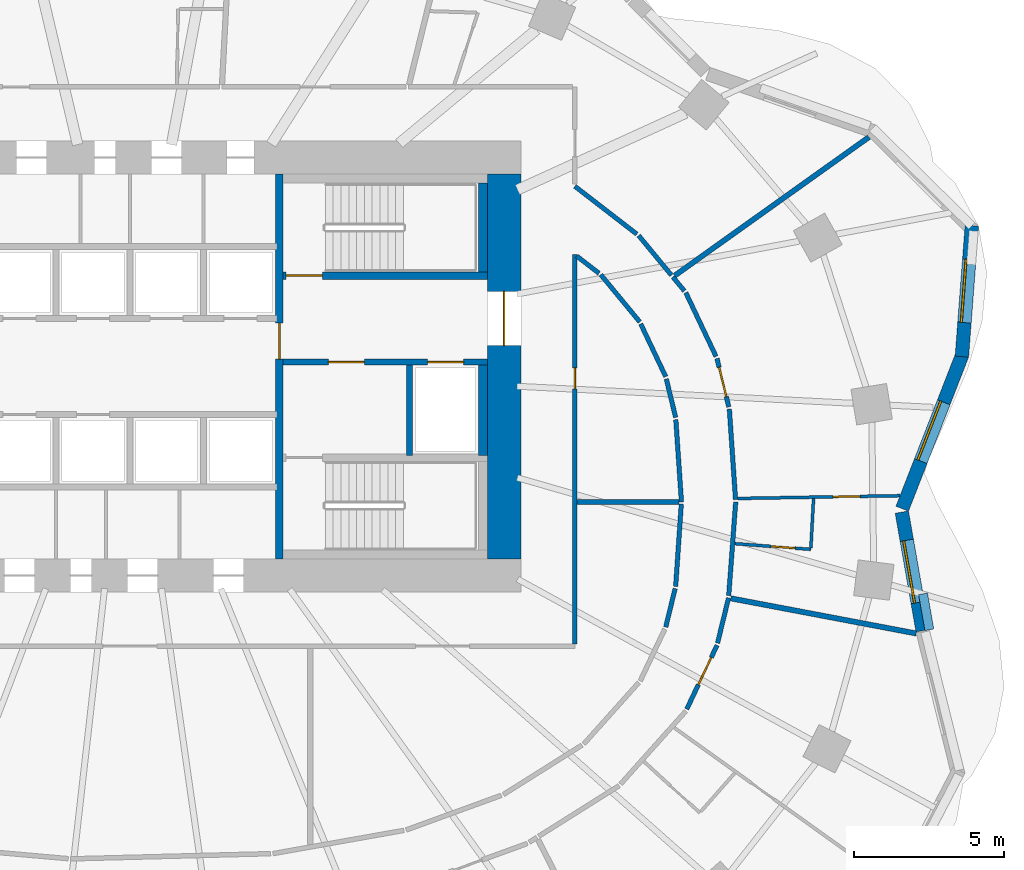
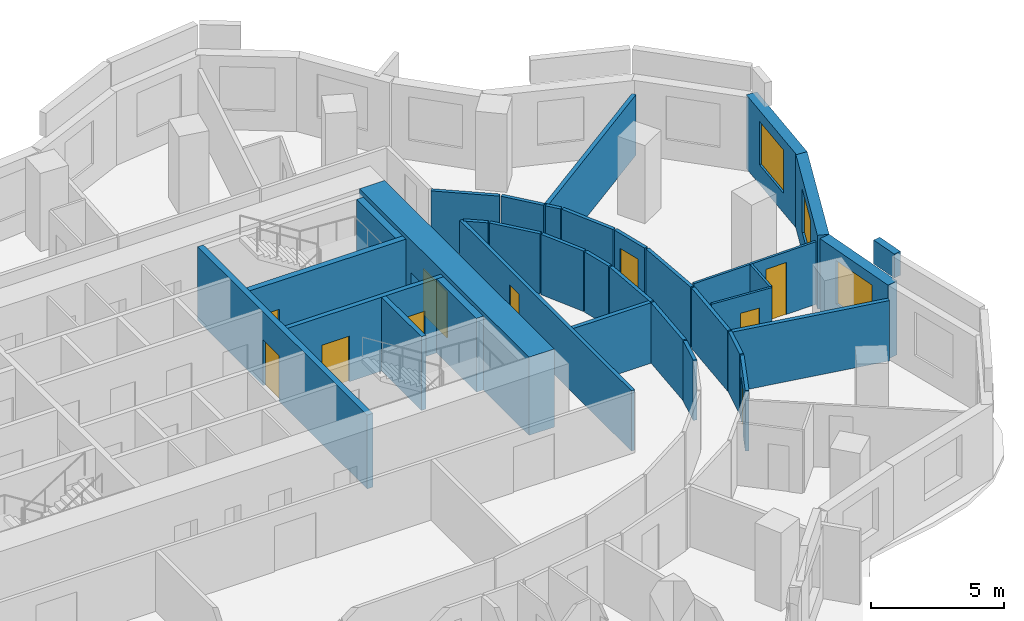
# One storey, part 7 of 10: 34 walls, 10 doors, 3 windows, 13 openings.
"""IFC4 building model written with IfcOpenShell, lengths in metres."""

import ifcopenshell
import ifcopenshell.guid

model = None  # the IFC model being written
_history = None  # IfcOwnerHistory: only IFC2X3 demands one
_inside = {}  # id of a spatial element -> (the spatial element, [elements in it])
_under = {}  # id of a project, library or spatial element -> (it, [spatial elements below it])
_declared = {}  # id of a project -> (the project, [libraries it declares])
_typed = {}  # id of a type object -> (the type object, [elements of that type])
_made_of = {}  # id of a material, layer set ... -> (it, [elements and type objects made of it])


def new_model(schema):
    """Start an empty IFC model of exactly this schema.

    Asked for "IFC4X3", IfcOpenShell would pick the latest addendum, in which some entities
    have other attributes; the version numbers below select the first issue.
    IFC2X3 requires an IfcOwnerHistory on every rooted entity: one is made here for all.
    """
    global model, _history
    if schema == "IFC4X3":
        model = ifcopenshell.file(schema_version=(4, 3, 0, 0))
    else:
        model = ifcopenshell.file(schema=schema)
    _inside.clear()
    _under.clear()
    _declared.clear()
    _typed.clear()
    _made_of.clear()
    _history = None
    if model.schema == "IFC2X3":
        org = make("IfcOrganization", Name="unknown")
        user = make(
            "IfcPersonAndOrganization",
            ThePerson=make("IfcPerson", FamilyName="unknown"),
            TheOrganization=org,
        )
        app = make(
            "IfcApplication",
            ApplicationDeveloper=org,
            Version="unknown",
            ApplicationFullName="unknown",
            ApplicationIdentifier="unknown",
        )
        _history = make(
            "IfcOwnerHistory",
            OwningUser=user,
            OwningApplication=app,
            ChangeAction="ADDED",
            CreationDate=0,
        )
    return model


def make(cls, **values):
    """One entity of the class cls with the attributes given. An attribute that is None is left unset."""
    return model.create_entity(
        cls, **{name: value for name, value in values.items() if value is not None}
    )


def rooted(cls, **values):
    """An entity with a GlobalId (a new one), such as an element, a storey or a relation."""
    return make(cls, GlobalId=ifcopenshell.guid.new(), OwnerHistory=_history, **values)


def si_unit(unit_type, name, prefix=None):
    """IfcSIUnit, for example si_unit("LENGTHUNIT", "METRE", prefix="MILLI")."""
    return make("IfcSIUnit", UnitType=unit_type, Prefix=prefix, Name=name)


def assignment(units):
    """IfcUnitAssignment: the units of a project."""
    return None if units is None else make("IfcUnitAssignment", Units=units)


def point(xyz):
    """IfcCartesianPoint."""
    return None if xyz is None else make("IfcCartesianPoint", Coordinates=xyz)


def direction(xyz):
    """IfcDirection."""
    return None if xyz is None else make("IfcDirection", DirectionRatios=xyz)


def frame(location, z_axis=None, x_axis=None):
    """IfcAxis2Placement3D, a coordinate frame: its origin and axes. An axis left out is left unset."""
    return make(
        "IfcAxis2Placement3D",
        Location=point(location),
        Axis=direction(z_axis),
        RefDirection=direction(x_axis),
    )


def frame_2d(location, x_axis=None):
    """IfcAxis2Placement2D, a coordinate frame in the plane: its origin and x axis."""
    return make(
        "IfcAxis2Placement2D", Location=point(location), RefDirection=direction(x_axis)
    )


def origin():
    """The frame at (0, 0, 0) with its axes left unset."""
    return frame((0.0, 0.0, 0.0))


def place(relative_to, where):
    """IfcLocalPlacement: puts the frame where relative to a parent placement (None: the world)."""
    return make(
        "IfcLocalPlacement", PlacementRelTo=relative_to, RelativePlacement=where
    )


def context(
    kind, dimensions, precision=None, world=None, true_north=None, identifier=None
):
    """IfcGeometricRepresentationContext, for example the 3D "Model" context."""
    return make(
        "IfcGeometricRepresentationContext",
        ContextIdentifier=identifier,
        ContextType=kind,
        CoordinateSpaceDimension=dimensions,
        Precision=precision,
        WorldCoordinateSystem=world,
        TrueNorth=true_north,
    )


def subcontext(parent, identifier, kind, view, scale=None):
    """IfcGeometricRepresentationSubContext, for example "Body" below "Model"."""
    return make(
        "IfcGeometricRepresentationSubContext",
        ContextIdentifier=identifier,
        ContextType=kind,
        ParentContext=parent,
        TargetScale=scale,
        TargetView=view,
    )


def project(units=None, contexts=None):
    """IfcProject with its units and contexts."""
    return rooted(
        "IfcProject",
        Name="project",
        RepresentationContexts=contexts,
        UnitsInContext=assignment(units),
    )


def spatial(cls, under=None, at=None, **own):
    """A site, building, storey or space (cls), placed at a placement, below another one or the project."""
    s = rooted(cls, ObjectPlacement=at, **own)
    if under is not None:
        _under.setdefault(under.id(), (under, []))[1].append(s)
    return s


def profile(cls, at=None, kind="AREA", **sizes):
    """A parametric profile (cls). Its sizes go by their IFC names, for example OverallWidth=200.0."""
    return make(cls, ProfileType=kind, Position=at, **sizes)


def rectangle(**sizes):
    """IfcRectangleProfileDef."""
    return profile("IfcRectangleProfileDef", **sizes)


def extrude(swept, where, along, depth):
    """IfcExtrudedAreaSolid: the profile swept, set in the frame where, extruded along a direction by depth."""
    return make(
        "IfcExtrudedAreaSolid",
        SweptArea=swept,
        Position=where,
        ExtrudedDirection=direction(along),
        Depth=depth,
    )


def shape(context_of_items, identifier, shape_type, items):
    """IfcShapeRepresentation: the items that make up one representation, for example the "Body"."""
    return make(
        "IfcShapeRepresentation",
        ContextOfItems=context_of_items,
        RepresentationIdentifier=identifier,
        RepresentationType=shape_type,
        Items=items,
    )


def material(Name=None, Category=None):
    """IfcMaterial."""
    return make("IfcMaterial", Name=Name, Category=Category)


def layer(
    of_material, thickness, ventilated=None, Name=None, Category=None, Priority=None
):
    """IfcMaterialLayer: one layer of a wall or slab, of a material (None: an air gap)."""
    return make(
        "IfcMaterialLayer",
        Material=of_material,
        LayerThickness=thickness,
        IsVentilated=ventilated,
        Name=Name,
        Category=Category,
        Priority=Priority,
    )


def layer_set(layers, Name=None):
    """IfcMaterialLayerSet."""
    return make("IfcMaterialLayerSet", MaterialLayers=layers, LayerSetName=Name)


def made_of(thing, what):
    """Note that an element or type object is made of a material, layer set ...; save() writes the relation."""
    if what is not None:
        _made_of.setdefault(what.id(), (what, []))[1].append(thing)
    return thing


def type_object(cls, material=None, **own):
    """A type object (cls), such as IfcWallType, which elements share."""
    return made_of(rooted(cls, **own), material)


def element(
    cls,
    number,
    at=None,
    inside=None,
    cuts=None,
    type_object=None,
    material=None,
    context=None,
    identifier="Body",
    shape_type=None,
    held_by="IfcProductDefinitionShape",
    body=None,
    shapes=None,
    **own,
):
    """One element of the class cls, such as IfcWall. Its Tag is "e" and its number.

    at: its placement. inside: the storey or other place that contains it. cuts: it is an
    opening in that element (IfcRelVoidsElement). A single representation is given by context,
    identifier, shape_type and body (its items); several are given by shapes. held_by: the class
    of the entity that holds the representations. save() writes the other relations.
    """
    e = rooted(cls, Tag="e%d" % number, ObjectPlacement=at, **own)
    if body is not None:
        shapes = [shape(context, identifier, shape_type, body)]
    if shapes is not None:
        e.Representation = make(held_by, Representations=shapes)
    if inside is not None:
        _inside.setdefault(inside.id(), (inside, []))[1].append(e)
    if cuts is not None:
        rooted(
            "IfcRelVoidsElement", RelatingBuildingElement=cuts, RelatedOpeningElement=e
        )
    if type_object is not None:
        _typed.setdefault(type_object.id(), (type_object, []))[1].append(e)
    return made_of(e, material)


def fill(opening, filler):
    """IfcRelFillsElement: the door or window that sits in an opening."""
    return rooted(
        "IfcRelFillsElement",
        RelatingOpeningElement=opening,
        RelatedBuildingElement=filler,
    )


def aggregate(whole, parts):
    """IfcRelAggregates: a whole, such as a stair, and the parts it consists of."""
    return rooted("IfcRelAggregates", RelatingObject=whole, RelatedObjects=parts)


def save(model, path):
    """Write the relations noted so far, then the file.

    IfcRelAggregates (storeys below a building ...), IfcRelContainedInSpatialStructure (elements
    in a storey), IfcRelDefinesByType, IfcRelAssociatesMaterial and IfcRelDeclares: one each for
    every whole, place, type object, material and project.
    """
    for whole, parts in _under.values():
        aggregate(whole, parts)
    for where, things in _inside.values():
        rooted(
            "IfcRelContainedInSpatialStructure",
            RelatedElements=things,
            RelatingStructure=where,
        )
    for kind, things in _typed.values():
        rooted("IfcRelDefinesByType", RelatedObjects=things, RelatingType=kind)
    for what, things in _made_of.values():
        rooted("IfcRelAssociatesMaterial", RelatedObjects=things, RelatingMaterial=what)
    for by, libraries in _declared.values():
        rooted("IfcRelDeclares", RelatingContext=by, RelatedDefinitions=libraries)
    model.write(path)


model = new_model("IFC4")

# Units and contexts
model_context = context("Model", 3, precision=1e-05, world=origin(), true_north=direction((0.0, 1.0)))
body_context = subcontext(model_context, "Body", "Model", "MODEL_VIEW")
ifc_project = project(units=[si_unit("LENGTHUNIT", "METRE"), si_unit("AREAUNIT", "SQUARE_METRE"), si_unit("VOLUMEUNIT", "CUBIC_METRE"), si_unit("PLANEANGLEUNIT", "RADIAN"), si_unit("MASSUNIT", "GRAM", prefix="KILO")], contexts=[model_context])

# Site, building, storey
site_placement = place(None, origin())
site = spatial("IfcSite", under=ifc_project, at=site_placement, CompositionType="ELEMENT")
building_placement = place(site_placement, origin())
building = spatial("IfcBuilding", under=site, at=building_placement, Name="Rubra Terraces Tower", CompositionType="ELEMENT")
storey_placement = place(building_placement, frame((0.0, 0.0, 110.39990234375)))
storey = spatial("IfcBuildingStorey", under=building, at=storey_placement, Name="L26", CompositionType="ELEMENT", Elevation=110.39990234375)

# Walls
ifc_material_1 = material(Name="Twin plasterboard on staggered steel stud, acoustic mineral wool", Category="steel")
ifc_layer_1 = layer(ifc_material_1, 0.175048828125)
ifc_layer_set_1 = layer_set([ifc_layer_1], Name="Twin plasterboard on staggered steel stud, acoustic mineral wool")
wall_type_1 = type_object("IfcWallType", Name="ACOUSTIC PARTY WALL 175", PredefinedType="PARTITIONING", material=ifc_layer_set_1)
wall_1_placement = place(storey_placement, frame((26.151611328125, -4.375732421875, 0.0), z_axis=(0.0, 0.0, 1.0), x_axis=(-0.98252432089, 0.186134249563, 0.0)))
element("IfcWall", 1, at=wall_1_placement, inside=storey, type_object=wall_type_1, Name="PARTITION", PredefinedType="PARTITIONING", context=body_context, shape_type="SweptSolid", body=[
    extrude(rectangle(XDim=6.276123046875, YDim=0.175048828125, at=frame_2d((3.13818359375, 0.0))), origin(), (0.0, 0.0, 1.0), 2.7841796875),
])
wall_2_placement = place(storey_placement, frame((24.57763671875, 12.131103515625, 0.0), z_axis=(0.0, 0.0, 1.0), x_axis=(-0.814105550238, -0.580716930244, 0.0)))
element("IfcWall", 2, at=wall_2_placement, inside=storey, type_object=wall_type_1, Name="PARTITION", PredefinedType="PARTITIONING", context=body_context, shape_type="SweptSolid", body=[
    extrude(rectangle(XDim=7.932373046875, YDim=0.175048828125, at=frame_2d((3.96630859375, 0.0))), origin(), (0.0, 0.0, 1.0), 2.7841796875),
])
wall_3_placement = place(storey_placement, frame((14.875, 0.0, 0.0), z_axis=(0.0, 0.0, 1.0), x_axis=(1.0, 0.0, 0.0)))
element("IfcWall", 3, at=wall_3_placement, inside=storey, type_object=wall_type_1, Name="PARTITION", PredefinedType="PARTITIONING", context=body_context, shape_type="SweptSolid", body=[
    extrude(rectangle(XDim=3.394775390625, YDim=0.175048828125, at=frame_2d((1.697265625, 0.0))), origin(), (0.0, 0.0, 1.0), 2.7841796875),
])

# Wall, opening, window
ifc_material_2 = material(Name="Brick masonry red-brown", Category="masonry")
ifc_layer_2 = layer(ifc_material_2, 0.449951171875)
ifc_layer_set_2 = layer_set([ifc_layer_2], Name="Brick masonry red-brown")
wall_type_2 = type_object("IfcWallType", Name="Brick facade wall 450", PredefinedType="SOLIDWALL", material=ifc_layer_set_2)
wall_4_placement = place(storey_placement, frame((25.68701171875, -0.226318359375, 0.0), z_axis=(0.0, 0.0, 1.0), x_axis=(0.363500194409, 0.931594122279, 0.0)))
wall_4 = element("IfcWall", 4, at=wall_4_placement, inside=storey, type_object=wall_type_2, Name="Facade wall L26 bay 1", PredefinedType="SOLIDWALL", context=body_context, shape_type="SweptSolid", body=[
    extrude(rectangle(XDim=5.498779296875, YDim=0.449951171875, at=frame_2d((2.74951171875, 0.0))), origin(), (0.0, 0.0, 1.0), 3.400146484375),
])
opening_1_placement = place(wall_4_placement, frame((1.69921875, 0.0, 0.89990234375)))
opening_1 = element("IfcOpeningElement", 5, at=opening_1_placement, cuts=wall_4, Name="Opening W1", PredefinedType="OPENING", context=body_context, shape_type="SweptSolid", body=[
    extrude(rectangle(XDim=2.10009765625, YDim=2.0, at=frame_2d((1.050048828125, 1.0))), frame((0.0, 0.23486328125, 0.0), z_axis=(0.0, -1.0, 0.0), x_axis=(1.0, 0.0, 0.0)), (0.0, 0.0, 1.0), 0.469970703125),
])
ifc_material_3 = material(Name="Clear glass in aluminium frame", Category="aluminium")
window_type = type_object("IfcWindowType", Name="Fixed deep-set window 2100 x 2000", PartitioningType="SINGLE_PANEL", PredefinedType="WINDOW", material=ifc_material_3)
window_1_placement = place(opening_1_placement, origin())
window_1 = element("IfcWindow", 6, at=window_1_placement, inside=storey, type_object=window_type, Name="Window L26 bay 1", OverallHeight=2.0, OverallWidth=2.10009765625, PartitioningType="SINGLE_PANEL", PredefinedType="WINDOW", context=body_context, shape_type="SweptSolid", body=[
    extrude(rectangle(XDim=2.10009765625, YDim=2.0, at=frame_2d((1.050048828125, 1.0))), frame((0.0, 0.135009765625, 0.0), z_axis=(0.0, -1.0, 0.0), x_axis=(1.0, 0.0, 0.0)), (0.0, 0.0, 1.0), 0.06005859375),
])
fill(opening_1, window_1)

wall_5_placement = place(storey_placement, frame((27.671142578125, 4.831298828125, 0.0), z_axis=(0.0, 0.0, 1.0), x_axis=(0.075658122047, 0.997133816781, 0.0)))
wall_5 = element("IfcWall", 7, at=wall_5_placement, inside=storey, type_object=wall_type_2, Name="Facade wall L26 bay 2", PredefinedType="SOLIDWALL", context=body_context, shape_type="SweptSolid", body=[
    extrude(rectangle(XDim=4.369140625, YDim=0.449951171875, at=frame_2d((2.1845703125, 0.0))), origin(), (0.0, 0.0, 1.0), 3.400146484375),
])
opening_2_placement = place(wall_5_placement, frame((1.134521484375, 0.0, 0.89990234375)))
opening_2 = element("IfcOpeningElement", 8, at=opening_2_placement, cuts=wall_5, Name="Opening W1", PredefinedType="OPENING", context=body_context, shape_type="SweptSolid", body=[
    extrude(rectangle(XDim=2.10009765625, YDim=2.0, at=frame_2d((1.050048828125, 1.0))), frame((0.0, 0.23486328125, 0.0), z_axis=(0.0, -1.0, 0.0), x_axis=(1.0, 0.0, 0.0)), (0.0, 0.0, 1.0), 0.469970703125),
])
window_2_placement = place(opening_2_placement, origin())
window_2 = element("IfcWindow", 9, at=window_2_placement, inside=storey, type_object=window_type, Name="Window L26 bay 2", OverallHeight=2.0, OverallWidth=2.10009765625, PartitioningType="SINGLE_PANEL", PredefinedType="WINDOW", context=body_context, shape_type="SweptSolid", body=[
    extrude(rectangle(XDim=2.10009765625, YDim=2.0, at=frame_2d((1.050048828125, 1.0))), frame((0.0, 0.135009765625, 0.0), z_axis=(0.0, -1.0, 0.0), x_axis=(1.0, 0.0, 0.0)), (0.0, 0.0, 1.0), 0.06005859375),
])
fill(opening_2, window_2)

wall_6_placement = place(storey_placement, frame((26.3662109375, -4.28466796875, 0.0), z_axis=(0.0, 0.0, 1.0), x_axis=(-0.172902168926, 0.984939003178, 0.0)))
wall_6 = element("IfcWall", 10, at=wall_6_placement, inside=storey, type_object=wall_type_2, Name="Facade wall L26 bay 40", PredefinedType="SOLIDWALL", context=body_context, shape_type="SweptSolid", body=[
    extrude(rectangle(XDim=4.005859375, YDim=0.449951171875, at=frame_2d((2.0029296875, 0.0))), origin(), (0.0, 0.0, 1.0), 3.400146484375),
])
opening_3_placement = place(wall_6_placement, frame((0.952880859375, 0.0, 0.89990234375)))
opening_3 = element("IfcOpeningElement", 11, at=opening_3_placement, cuts=wall_6, Name="Opening W1", PredefinedType="OPENING", context=body_context, shape_type="SweptSolid", body=[
    extrude(rectangle(XDim=2.10009765625, YDim=2.0, at=frame_2d((1.050048828125, 1.0))), frame((0.0, 0.23486328125, 0.0), z_axis=(0.0, -1.0, 0.0), x_axis=(1.0, 0.0, 0.0)), (0.0, 0.0, 1.0), 0.469970703125),
])
window_3_placement = place(opening_3_placement, origin())
window_3 = element("IfcWindow", 12, at=window_3_placement, inside=storey, type_object=window_type, Name="Window L26 bay 40", OverallHeight=2.0, OverallWidth=2.10009765625, PartitioningType="SINGLE_PANEL", PredefinedType="WINDOW", context=body_context, shape_type="SweptSolid", body=[
    extrude(rectangle(XDim=2.10009765625, YDim=2.0, at=frame_2d((1.050048828125, 1.0))), frame((0.0, 0.135009765625, 0.0), z_axis=(0.0, -1.0, 0.0), x_axis=(1.0, 0.0, 0.0)), (0.0, 0.0, 1.0), 0.06005859375),
])
fill(opening_3, window_3)

# Wall
ifc_layer_3 = layer(ifc_material_2, 0.300048828125)
ifc_layer_set_3 = layer_set([ifc_layer_3], Name="Brick masonry red-brown")
wall_type_3 = type_object("IfcWallType", Name="Brick parapet 300", PredefinedType="PARAPET", material=ifc_layer_set_3)
wall_7_placement = place(storey_placement, frame((26.589111328125, -4.253662109375, 3.60009765625), z_axis=(0.0, 0.0, 1.0), x_axis=(-0.172857566704, 0.984946831881, 0.0)))
element("IfcWall", 13, at=wall_7_placement, inside=storey, type_object=wall_type_3, Name="Parapet L26 bay 40", PredefinedType="PARAPET", context=body_context, shape_type="SweptSolid", body=[
    extrude(rectangle(XDim=1.216064453125, YDim=0.300048828125, at=frame_2d((0.60791015625, 0.0))), origin(), (0.0, 0.0, 1.0), 1.10009765625),
])

# Wall, opening, door
ifc_material_4 = material(Name="Concrete C60", Category="concrete")
ifc_layer_4 = layer(ifc_material_4, 1.10009765625)
ifc_layer_set_4 = layer_set([ifc_layer_4], Name="Concrete C60")
wall_type_4 = type_object("IfcWallType", Name="CORE WALL 1100 C60", PredefinedType="SHEAR", material=ifc_layer_set_4)
wall_8_placement = place(storey_placement, frame((12.449951171875, -1.89990234375, 0.0), z_axis=(0.0, 0.0, 1.0), x_axis=(0.0, 1.0, 0.0)))
wall_8 = element("IfcWall", 14, at=wall_8_placement, inside=storey, type_object=wall_type_4, Name="CORE WALL E L26", PredefinedType="SHEAR", context=body_context, shape_type="SweptSolid", body=[
    extrude(rectangle(XDim=12.7998046875, YDim=1.10009765625, at=frame_2d((6.39990234375, 0.0))), origin(), (0.0, 0.0, 1.0), 3.60009765625),
])
opening_4_placement = place(wall_8_placement, frame((7.10009765625, 0.0, 0.0)))
opening_4 = element("IfcOpeningElement", 15, at=opening_4_placement, cuts=wall_8, Name="Opening L26.C02", PredefinedType="OPENING", context=body_context, shape_type="SweptSolid", body=[
    extrude(rectangle(XDim=1.800048828125, YDim=2.10009765625, at=frame_2d((0.89990234375, 1.050048828125))), frame((0.0, 0.56005859375, 0.0), z_axis=(0.0, -1.0, 0.0), x_axis=(1.0, 0.0, 0.0)), (0.0, 0.0, 1.0), 1.1201171875),
])
ifc_material_5 = material(Name="Painted steel", Category="steel")
door_type_1 = type_object("IfcDoorType", Name="Fire door 1800x2100 double", OperationType="NOTDEFINED", PredefinedType="DOOR", material=ifc_material_5)
door_1_placement = place(opening_4_placement, origin())
door_1 = element("IfcDoor", 16, at=door_1_placement, inside=storey, type_object=door_type_1, Name="Core entrance door FF2", OperationType="DOUBLE_DOOR_SINGLE_SWING", OverallHeight=2.10009765625, OverallWidth=1.800048828125, PredefinedType="DOOR", context=body_context, shape_type="SweptSolid", body=[
    extrude(rectangle(XDim=1.800048828125, YDim=2.10009765625, at=frame_2d((0.89990234375, 1.050048828125))), frame((0.0, 0.02490234375, 0.0), z_axis=(0.0, -1.0, 0.0), x_axis=(1.0, 0.0, 0.0)), (0.0, 0.0, 1.0), 0.050048828125),
])
fill(opening_4, door_1)

ifc_material_6 = material(Name="Plasterboard on steel stud, mineral wool infill", Category="steel")
ifc_layer_5 = layer(ifc_material_6, 0.14990234375)
ifc_layer_set_5 = layer_set([ifc_layer_5], Name="Plasterboard on steel stud, mineral wool infill")
wall_type_5 = type_object("IfcWallType", Name="CORRIDOR PARTITION 150", PredefinedType="PARTITIONING", material=ifc_layer_set_5)
wall_9_placement = place(storey_placement, frame((18.521728515625, -6.891357421875, 0.0), z_axis=(0.0, 0.0, 1.0), x_axis=(0.428157819028, 0.903703979191, 0.0)))
wall_9 = element("IfcWall", 17, at=wall_9_placement, inside=storey, type_object=wall_type_5, Name="PARTITION", PredefinedType="PARTITIONING", context=body_context, shape_type="SweptSolid", body=[
    extrude(rectangle(XDim=2.349365234375, YDim=0.14990234375, at=frame_2d((1.1748046875, 0.0))), origin(), (0.0, 0.0, 1.0), 2.7841796875),
])
opening_5_placement = place(wall_9_placement, frame((0.89990234375, 0.0, 0.0)))
opening_5 = element("IfcOpeningElement", 18, at=opening_5_placement, cuts=wall_9, Name="Opening 26-113", PredefinedType="OPENING", context=body_context, shape_type="SweptSolid", body=[
    extrude(rectangle(XDim=1.0, YDim=2.10009765625, at=frame_2d((0.5, 1.050048828125))), frame((0.0, 0.0849609375, 0.0), z_axis=(0.0, -1.0, 0.0), x_axis=(1.0, 0.0, 0.0)), (0.0, 0.0, 1.0), 0.169921875),
])
ifc_material_7 = material(Name="Painted timber door leaf", Category="wood")
door_type_2 = type_object("IfcDoorType", Name="ROOM DOOR 1000 X 2100", OperationType="SINGLE_SWING_LEFT", PredefinedType="DOOR", material=ifc_material_7)
door_2_placement = place(opening_5_placement, origin())
door_2 = element("IfcDoor", 19, at=door_2_placement, inside=storey, type_object=door_type_2, Name="DOOR 26-113", OperationType="SINGLE_SWING_RIGHT", OverallHeight=2.10009765625, OverallWidth=1.0, PredefinedType="DOOR", context=body_context, shape_type="SweptSolid", body=[
    extrude(rectangle(XDim=1.0, YDim=2.10009765625, at=frame_2d((0.5, 1.050048828125))), frame((0.0, 0.02490234375, 0.0), z_axis=(0.0, -1.0, 0.0), x_axis=(1.0, 0.0, 0.0)), (0.0, 0.0, 1.0), 0.050048828125),
])
fill(opening_5, door_2)

# Walls
wall_10_placement = place(storey_placement, frame((19.54541015625, -4.695556640625, 0.0), z_axis=(0.0, 0.0, 1.0), x_axis=(0.236734400589, 0.971574404551, 0.0)))
element("IfcWall", 20, at=wall_10_placement, inside=storey, type_object=wall_type_5, Name="PARTITION", PredefinedType="PARTITIONING", context=body_context, shape_type="SweptSolid", body=[
    extrude(rectangle(XDim=1.5458984375, YDim=0.14990234375, at=frame_2d((0.77294921875, 0.0))), origin(), (0.0, 0.0, 1.0), 2.7841796875),
])
wall_11_placement = place(storey_placement, frame((19.9169921875, -3.118896484375, 0.0), z_axis=(0.0, 0.0, 1.0), x_axis=(0.074159224494, 0.997246413592, 0.0)))
element("IfcWall", 21, at=wall_11_placement, inside=storey, type_object=wall_type_5, Name="PARTITION", PredefinedType="PARTITIONING", context=body_context, shape_type="SweptSolid", body=[
    extrude(rectangle(XDim=3.12744140625, YDim=0.14990234375, at=frame_2d((1.563720703125, 0.0))), origin(), (0.0, 0.0, 1.0), 2.7841796875),
])
wall_12_placement = place(storey_placement, frame((20.143798828125, 0.07470703125, 0.0), z_axis=(0.0, 0.0, 1.0), x_axis=(-0.068280105787, 0.997666190243, 0.0)))
element("IfcWall", 22, at=wall_12_placement, inside=storey, type_object=wall_type_5, Name="PARTITION", PredefinedType="PARTITIONING", context=body_context, shape_type="SweptSolid", body=[
    extrude(rectangle(XDim=3.017822265625, YDim=0.14990234375, at=frame_2d((1.5087890625, 0.0))), origin(), (0.0, 0.0, 1.0), 2.7841796875),
])

# Wall, opening, door
wall_13_placement = place(storey_placement, frame((19.919921875, 3.158447265625, 0.0), z_axis=(0.0, 0.0, 1.0), x_axis=(-0.236776405664, 0.971564168607, 0.0)))
wall_13 = element("IfcWall", 23, at=wall_13_placement, inside=storey, type_object=wall_type_5, Name="PARTITION", PredefinedType="PARTITIONING", context=body_context, shape_type="SweptSolid", body=[
    extrude(rectangle(XDim=1.656982421875, YDim=0.14990234375, at=frame_2d((0.82861328125, 0.0))), origin(), (0.0, 0.0, 1.0), 2.7841796875),
])
opening_6_placement = place(wall_13_placement, frame((0.35205078125, 0.0, 0.0)))
opening_6 = element("IfcOpeningElement", 24, at=opening_6_placement, cuts=wall_13, Name="Opening 26-116", PredefinedType="OPENING", context=body_context, shape_type="SweptSolid", body=[
    extrude(rectangle(XDim=1.0, YDim=2.10009765625, at=frame_2d((0.5, 1.050048828125))), frame((0.0, 0.0849609375, 0.0), z_axis=(0.0, -1.0, 0.0), x_axis=(1.0, 0.0, 0.0)), (0.0, 0.0, 1.0), 0.169921875),
])
door_3_placement = place(opening_6_placement, origin())
door_3 = element("IfcDoor", 25, at=door_3_placement, inside=storey, type_object=door_type_2, Name="DOOR 26-116", OperationType="SINGLE_SWING_RIGHT", OverallHeight=2.10009765625, OverallWidth=1.0, PredefinedType="DOOR", context=body_context, shape_type="SweptSolid", body=[
    extrude(rectangle(XDim=1.0, YDim=2.10009765625, at=frame_2d((0.5, 1.050048828125))), frame((0.0, 0.02490234375, 0.0), z_axis=(0.0, -1.0, 0.0), x_axis=(1.0, 0.0, 0.0)), (0.0, 0.0, 1.0), 0.050048828125),
])
fill(opening_6, door_3)

# Walls
wall_14_placement = place(storey_placement, frame((19.495361328125, 4.836181640625, 0.0), z_axis=(0.0, 0.0, 1.0), x_axis=(-0.428157819028, 0.903703979191, 0.0)))
element("IfcWall", 26, at=wall_14_placement, inside=storey, type_object=wall_type_5, Name="PARTITION", PredefinedType="PARTITIONING", context=body_context, shape_type="SweptSolid", body=[
    extrude(rectangle(XDim=2.349365234375, YDim=0.14990234375, at=frame_2d((1.1748046875, 0.0))), origin(), (0.0, 0.0, 1.0), 2.7841796875),
])
wall_15_placement = place(storey_placement, frame((18.44189453125, 7.01708984375, 0.0), z_axis=(0.0, 0.0, 1.0), x_axis=(-0.636545885104, 0.771238832112, 0.0)))
element("IfcWall", 27, at=wall_15_placement, inside=storey, type_object=wall_type_5, Name="PARTITION", PredefinedType="PARTITIONING", context=body_context, shape_type="SweptSolid", body=[
    extrude(rectangle(XDim=0.601806640625, YDim=0.14990234375, at=frame_2d((0.30078125, 0.0))), origin(), (0.0, 0.0, 1.0), 2.7841796875),
])
wall_16_placement = place(storey_placement, frame((18.010986328125, 7.538818359375, 0.0), z_axis=(0.0, 0.0, 1.0), x_axis=(-0.636431742529, 0.771333026067, 0.0)))
element("IfcWall", 28, at=wall_16_placement, inside=storey, type_object=wall_type_5, Name="PARTITION", PredefinedType="PARTITIONING", context=body_context, shape_type="SweptSolid", body=[
    extrude(rectangle(XDim=1.712158203125, YDim=0.14990234375, at=frame_2d((0.85595703125, 0.0))), origin(), (0.0, 0.0, 1.0), 2.7841796875),
])
wall_17_placement = place(storey_placement, frame((16.86181640625, 8.905029296875, 0.0), z_axis=(0.0, 0.0, 1.0), x_axis=(-0.791542595332, 0.611113999001, 0.0)))
element("IfcWall", 29, at=wall_17_placement, inside=storey, type_object=wall_type_5, Name="PARTITION", PredefinedType="PARTITIONING", context=body_context, shape_type="SweptSolid", body=[
    extrude(rectangle(XDim=2.604736328125, YDim=0.14990234375, at=frame_2d((1.30224609375, 0.0))), origin(), (0.0, 0.0, 1.0), 2.7841796875),
])
wall_18_placement = place(storey_placement, frame((15.66162109375, 7.557861328125, 0.0), z_axis=(0.0, 0.0, 1.0), x_axis=(0.636500564941, -0.7712762351, 0.0)))
element("IfcWall", 30, at=wall_18_placement, inside=storey, type_object=wall_type_5, Name="PARTITION", PredefinedType="PARTITIONING", context=body_context, shape_type="SweptSolid", body=[
    extrude(rectangle(XDim=2.037841796875, YDim=0.14990234375, at=frame_2d((1.01904296875, 0.0))), origin(), (0.0, 0.0, 1.0), 2.7841796875),
])
wall_19_placement = place(storey_placement, frame((16.990966796875, 5.918212890625, 0.0), z_axis=(0.0, 0.0, 1.0), x_axis=(0.428199863362, -0.903684058185, 0.0)))
element("IfcWall", 31, at=wall_19_placement, inside=storey, type_object=wall_type_5, Name="PARTITION", PredefinedType="PARTITIONING", context=body_context, shape_type="SweptSolid", body=[
    extrude(rectangle(XDim=1.94140625, YDim=0.14990234375, at=frame_2d((0.970703125, 0.0))), origin(), (0.0, 0.0, 1.0), 2.7841796875),
])
wall_20_placement = place(storey_placement, frame((17.840087890625, 4.0908203125, 0.0), z_axis=(0.0, 0.0, 1.0), x_axis=(0.236653741324, -0.971594054489, 0.0)))
element("IfcWall", 32, at=wall_20_placement, inside=storey, type_object=wall_type_5, Name="PARTITION", PredefinedType="PARTITIONING", context=body_context, shape_type="SweptSolid", body=[
    extrude(rectangle(XDim=1.319580078125, YDim=0.14990234375, at=frame_2d((0.65966796875, 0.0))), origin(), (0.0, 0.0, 1.0), 2.7841796875),
])
for number, where, z_axis, x_axis, name in (
    (33, (18.157470703125, 2.734130859375, 0.0), (0.0, 0.0, 1.0), (0.068328193832, -0.997662897941, 0.0), "PARTITION"),
    (34, (18.339599609375, -0.07470703125, 0.0), (0.0, 0.0, 1.0), (-0.068328193832, -0.997662897941, 0.0), "PARTITION"),
):
    element("IfcWall", number, at=place(storey_placement, frame(where, z_axis=z_axis, x_axis=x_axis)), inside=storey, type_object=wall_type_5, Name=name, PredefinedType="PARTITIONING", context=body_context, shape_type="SweptSolid", body=[
        extrude(rectangle(XDim=2.740478515625, YDim=0.14990234375, at=frame_2d((1.3701171875, 0.0))), origin(), (0.0, 0.0, 1.0), 2.7841796875),
    ])
wall_21_placement = place(storey_placement, frame((18.134521484375, -2.8818359375, 0.0), z_axis=(0.0, 0.0, 1.0), x_axis=(-0.236653741324, -0.971594054489, 0.0)))
element("IfcWall", 35, at=wall_21_placement, inside=storey, type_object=wall_type_5, Name="PARTITION", PredefinedType="PARTITIONING", context=body_context, shape_type="SweptSolid", body=[
    extrude(rectangle(XDim=1.319580078125, YDim=0.14990234375, at=frame_2d((0.65966796875, 0.0))), origin(), (0.0, 0.0, 1.0), 2.7841796875),
])

# Wall, opening, door
wall_22_placement = place(storey_placement, frame((14.800048828125, -4.72509765625, 0.0), z_axis=(0.0, 0.0, 1.0), x_axis=(0.0, 1.0, 0.0)))
wall_22 = element("IfcWall", 36, at=wall_22_placement, inside=storey, type_object=wall_type_5, Name="PARTITION", PredefinedType="PARTITIONING", context=body_context, shape_type="SweptSolid", body=[
    extrude(rectangle(XDim=12.947998046875, YDim=0.14990234375, at=frame_2d((6.47412109375, 0.0))), origin(), (0.0, 0.0, 1.0), 2.7841796875),
])
opening_7_placement = place(wall_22_placement, frame((8.486083984375, 0.0, 0.0)))
opening_7 = element("IfcOpeningElement", 37, at=opening_7_placement, cuts=wall_22, Name="Opening 26-131", PredefinedType="OPENING", context=body_context, shape_type="SweptSolid", body=[
    extrude(rectangle(XDim=0.699951171875, YDim=2.10009765625, at=frame_2d((0.35009765625, 1.050048828125))), frame((0.0, 0.0849609375, 0.0), z_axis=(0.0, -1.0, 0.0), x_axis=(1.0, 0.0, 0.0)), (0.0, 0.0, 1.0), 0.169921875),
])
door_type_3 = type_object("IfcDoorType", Name="STORE DOOR 700 X 2100", OperationType="SINGLE_SWING_LEFT", PredefinedType="DOOR", material=ifc_material_7)
door_4_placement = place(opening_7_placement, origin())
door_4 = element("IfcDoor", 38, at=door_4_placement, inside=storey, type_object=door_type_3, Name="DOOR 26-131", OperationType="SINGLE_SWING_RIGHT", OverallHeight=2.10009765625, OverallWidth=0.699951171875, PredefinedType="DOOR", context=body_context, shape_type="SweptSolid", body=[
    extrude(rectangle(XDim=0.699951171875, YDim=2.10009765625, at=frame_2d((0.35009765625, 1.050048828125))), frame((0.0, 0.02490234375, 0.0), z_axis=(0.0, -1.0, 0.0), x_axis=(1.0, 0.0, 0.0)), (0.0, 0.0, 1.0), 0.050048828125),
])
fill(opening_7, door_4)

# Walls
wall_23_placement = place(storey_placement, frame((14.859375, 8.177001953125, 0.0), z_axis=(0.0, 0.0, 1.0), x_axis=(0.791588113465, -0.611055037309, 0.0)))
element("IfcWall", 39, at=wall_23_placement, inside=storey, type_object=wall_type_5, Name="PARTITION", PredefinedType="PARTITIONING", context=body_context, shape_type="SweptSolid", body=[
    extrude(rectangle(XDim=0.9384765625, YDim=0.14990234375, at=frame_2d((0.46923828125, 0.0))), origin(), (0.0, 0.0, 1.0), 2.7841796875),
])
ifc_material_8 = material(Name="Concrete C40", Category="concrete")
ifc_layer_6 = layer(ifc_material_8, 0.300048828125)
ifc_layer_set_6 = layer_set([ifc_layer_6], Name="Concrete C40")
wall_type_6 = type_object("IfcWallType", Name="Core lining wall 300 concrete", PredefinedType="SOLIDWALL", material=ifc_layer_set_6)
wall_24_placement = place(storey_placement, frame((11.75, 10.60009765625, 0.0), z_axis=(0.0, 0.0, 1.0), x_axis=(0.0, -1.0, 0.0)))
element("IfcWall", 40, at=wall_24_placement, inside=storey, type_object=wall_type_6, Name="CORE LINING WALL L26", PredefinedType="SOLIDWALL", context=body_context, shape_type="SweptSolid", body=[
    extrude(rectangle(XDim=2.9501953125, YDim=0.300048828125, at=frame_2d((1.47509765625, 0.0))), origin(), (0.0, 0.0, 1.0), 3.400146484375),
])
wall_25_placement = place(storey_placement, frame((11.75, 4.550048828125, 0.0), z_axis=(0.0, 0.0, 1.0), x_axis=(0.0, -1.0, 0.0)))
element("IfcWall", 41, at=wall_25_placement, inside=storey, type_object=wall_type_6, Name="CORE LINING WALL L26", PredefinedType="SOLIDWALL", context=body_context, shape_type="SweptSolid", body=[
    extrude(rectangle(XDim=3.0, YDim=0.300048828125, at=frame_2d((1.5, 0.0))), origin(), (0.0, 0.0, 1.0), 3.400146484375),
])

# Wall, openings, doors
ifc_material_9 = material(Name="Concrete C30", Category="concrete")
ifc_layer_7 = layer(ifc_material_9, 0.199951171875)
ifc_layer_set_7 = layer_set([ifc_layer_7], Name="Concrete C30")
wall_type_7 = type_object("IfcWallType", Name="Core wall 200 concrete", PredefinedType="SOLIDWALL", material=ifc_layer_set_7)
wall_26_placement = place(storey_placement, frame((11.89990234375, 4.64990234375, 0.0), z_axis=(0.0, 0.0, 1.0), x_axis=(-1.0, 0.0, 0.0)))
wall_26 = element("IfcWall", 42, at=wall_26_placement, inside=storey, type_object=wall_type_7, Name="STAIR WALL L26", PredefinedType="SOLIDWALL", context=body_context, shape_type="SweptSolid", body=[
    extrude(rectangle(XDim=6.7998046875, YDim=0.199951171875, at=frame_2d((3.39990234375, 0.0))), origin(), (0.0, 0.0, 1.0), 3.400146484375),
])
opening_8_placement = place(wall_26_placement, frame((4.10009765625, 0.0, 0.0)))
opening_8 = element("IfcOpeningElement", 43, at=opening_8_placement, cuts=wall_26, Name="Opening L26.C06", PredefinedType="OPENING", context=body_context, shape_type="SweptSolid", body=[
    extrude(rectangle(XDim=1.199951171875, YDim=2.10009765625, at=frame_2d((0.60009765625, 1.050048828125))), frame((0.0, 0.10986328125, 0.0), z_axis=(0.0, -1.0, 0.0), x_axis=(1.0, 0.0, 0.0)), (0.0, 0.0, 1.0), 0.219970703125),
])
opening_9_placement = place(wall_26_placement, frame((0.800048828125, 0.0, 0.0)))
opening_9 = element("IfcOpeningElement", 44, at=opening_9_placement, cuts=wall_26, Name="Opening L26.C12", PredefinedType="OPENING", context=body_context, shape_type="SweptSolid", body=[
    extrude(rectangle(XDim=1.199951171875, YDim=2.10009765625, at=frame_2d((0.60009765625, 1.050048828125))), frame((0.0, 0.10986328125, 0.0), z_axis=(0.0, -1.0, 0.0), x_axis=(1.0, 0.0, 0.0)), (0.0, 0.0, 1.0), 0.219970703125),
])
door_type_4 = type_object("IfcDoorType", Name="Fire door 1200x2100 single", OperationType="NOTDEFINED", PredefinedType="DOOR", material=ifc_material_5)
door_5_placement = place(opening_8_placement, origin())
door_5 = element("IfcDoor", 45, at=door_5_placement, inside=storey, type_object=door_type_4, Name="Stair vestibule door S4", OperationType="SINGLE_SWING_RIGHT", OverallHeight=2.10009765625, OverallWidth=1.199951171875, PredefinedType="DOOR", context=body_context, shape_type="SweptSolid", body=[
    extrude(rectangle(XDim=1.199951171875, YDim=2.10009765625, at=frame_2d((0.60009765625, 1.050048828125))), frame((0.0, 0.02490234375, 0.0), z_axis=(0.0, -1.0, 0.0), x_axis=(1.0, 0.0, 0.0)), (0.0, 0.0, 1.0), 0.050048828125),
])
fill(opening_8, door_5)
ifc_material_10 = material(Name="Stainless steel", Category="steel")
door_type_5 = type_object("IfcDoorType", Name="Lift landing door 1200x2100", OperationType="NOTDEFINED", PredefinedType="DOOR", material=ifc_material_10)
door_6_placement = place(opening_9_placement, origin())
door_6 = element("IfcDoor", 46, at=door_6_placement, inside=storey, type_object=door_type_5, Name="Landing door FF2", OperationType="SLIDING_TO_RIGHT", OverallHeight=2.10009765625, OverallWidth=1.199951171875, PredefinedType="DOOR", context=body_context, shape_type="SweptSolid", body=[
    extrude(rectangle(XDim=1.199951171875, YDim=2.10009765625, at=frame_2d((0.60009765625, 1.050048828125))), frame((0.0, 0.02490234375, 0.0), z_axis=(0.0, -1.0, 0.0), x_axis=(1.0, 0.0, 0.0)), (0.0, 0.0, 1.0), 0.050048828125),
])
fill(opening_9, door_6)

# Wall
wall_27_placement = place(storey_placement, frame((9.300048828125, 4.550048828125, 0.0), z_axis=(0.0, 0.0, 1.0), x_axis=(0.0, -1.0, 0.0)))
element("IfcWall", 47, at=wall_27_placement, inside=storey, type_object=wall_type_7, Name="STAIR WALL L26", PredefinedType="SOLIDWALL", context=body_context, shape_type="SweptSolid", body=[
    extrude(rectangle(XDim=3.0, YDim=0.199951171875, at=frame_2d((1.5, 0.0))), origin(), (0.0, 0.0, 1.0), 3.400146484375),
])

# Wall, opening, door
ifc_material_11 = material(Name="Plasterboard on steel stud", Category="steel")
ifc_layer_8 = layer(ifc_material_11, 0.10009765625)
ifc_layer_set_8 = layer_set([ifc_layer_8], Name="Plasterboard on steel stud")
wall_type_8 = type_object("IfcWallType", Name="ROOM PARTITION 100", PredefinedType="PARTITIONING", material=ifc_layer_set_8)
wall_28_placement = place(storey_placement, frame((25.610107421875, 0.206298828125, 0.0), z_axis=(0.0, 0.0, 1.0), x_axis=(-0.999853678018, -0.017106213917, 0.0)))
wall_28 = element("IfcWall", 48, at=wall_28_placement, inside=storey, type_object=wall_type_8, Name="PARTITION", PredefinedType="PARTITIONING", context=body_context, shape_type="SweptSolid", body=[
    extrude(rectangle(XDim=5.394775390625, YDim=0.10009765625, at=frame_2d((2.697265625, 0.0))), origin(), (0.0, 0.0, 1.0), 2.884033203125),
])
opening_10_placement = place(wall_28_placement, frame((1.320068359375, 0.0, 0.0)))
opening_10 = element("IfcOpeningElement", 49, at=opening_10_placement, cuts=wall_28, Name="Opening 26-115", PredefinedType="OPENING", context=body_context, shape_type="SweptSolid", body=[
    extrude(rectangle(XDim=0.89990234375, YDim=2.39990234375, at=frame_2d((0.449951171875, 1.199951171875))), frame((0.0, 0.06005859375, 0.0), z_axis=(0.0, -1.0, 0.0), x_axis=(1.0, 0.0, 0.0)), (0.0, 0.0, 1.0), 0.1201171875),
])
ifc_material_12 = material(Name="Veneered timber door leaf, fire-rated", Category="wood")
door_type_6 = type_object("IfcDoorType", Name="SUITE ENTRANCE DOOR 900 X 2400", OperationType="SINGLE_SWING_LEFT", PredefinedType="DOOR", material=ifc_material_12)
door_7_placement = place(opening_10_placement, origin())
door_7 = element("IfcDoor", 50, at=door_7_placement, inside=storey, type_object=door_type_6, Name="DOOR 26-115", OperationType="SINGLE_SWING_LEFT", OverallHeight=2.39990234375, OverallWidth=0.89990234375, PredefinedType="DOOR", context=body_context, shape_type="SweptSolid", body=[
    extrude(rectangle(XDim=0.89990234375, YDim=2.39990234375, at=frame_2d((0.449951171875, 1.199951171875))), frame((0.0, 0.02490234375, 0.0), z_axis=(0.0, -1.0, 0.0), x_axis=(1.0, 0.0, 0.0)), (0.0, 0.0, 1.0), 0.050048828125),
])
fill(opening_10, door_7)

wall_29_placement = place(storey_placement, frame((20.12890625, -1.389404296875, 0.0), z_axis=(0.0, 0.0, 1.0), x_axis=(0.997173832605, -0.075128873066, 0.0)))
wall_29 = element("IfcWall", 51, at=wall_29_placement, inside=storey, type_object=wall_type_8, Name="PARTITION", PredefinedType="PARTITIONING", context=body_context, shape_type="SweptSolid", body=[
    extrude(rectangle(XDim=2.52490234375, YDim=0.10009765625, at=frame_2d((1.262451171875, 0.0))), origin(), (0.0, 0.0, 1.0), 2.884033203125),
])
opening_11_placement = place(wall_29_placement, frame((1.199951171875, 0.0, 0.0)))
opening_11 = element("IfcOpeningElement", 52, at=opening_11_placement, cuts=wall_29, Name="Opening 26-114", PredefinedType="OPENING", context=body_context, shape_type="SweptSolid", body=[
    extrude(rectangle(XDim=0.800048828125, YDim=2.10009765625, at=frame_2d((0.39990234375, 1.050048828125))), frame((0.0, 0.06005859375, 0.0), z_axis=(0.0, -1.0, 0.0), x_axis=(1.0, 0.0, 0.0)), (0.0, 0.0, 1.0), 0.1201171875),
])
door_type_7 = type_object("IfcDoorType", Name="BATHROOM DOOR 800 X 2100", OperationType="SINGLE_SWING_LEFT", PredefinedType="DOOR", material=ifc_material_7)
door_8_placement = place(opening_11_placement, origin())
door_8 = element("IfcDoor", 53, at=door_8_placement, inside=storey, type_object=door_type_7, Name="DOOR 26-114", OperationType="SINGLE_SWING_LEFT", OverallHeight=2.10009765625, OverallWidth=0.800048828125, PredefinedType="DOOR", context=body_context, shape_type="SweptSolid", body=[
    extrude(rectangle(XDim=0.800048828125, YDim=2.10009765625, at=frame_2d((0.39990234375, 1.050048828125))), frame((0.0, 0.02490234375, 0.0), z_axis=(0.0, -1.0, 0.0), x_axis=(1.0, 0.0, 0.0)), (0.0, 0.0, 1.0), 0.050048828125),
])
fill(opening_11, door_8)

# Wall
wall_30_placement = place(storey_placement, frame((22.6494140625, -1.529296875, 0.0), z_axis=(0.0, 0.0, 1.0), x_axis=(0.054067576404, 0.998537278814, 0.0)))
element("IfcWall", 54, at=wall_30_placement, inside=storey, type_object=wall_type_8, Name="PARTITION", PredefinedType="PARTITIONING", context=body_context, shape_type="SweptSolid", body=[
    extrude(rectangle(XDim=1.63916015625, YDim=0.10009765625, at=frame_2d((0.819580078125, 0.0))), origin(), (0.0, 0.0, 1.0), 2.884033203125),
])

# Wall, opening, door
ifc_layer_9 = layer(ifc_material_8, 0.25)
ifc_layer_set_9 = layer_set([ifc_layer_9], Name="Concrete C40")
wall_type_9 = type_object("IfcWallType", Name="Stair enclosure wall 250 concrete", PredefinedType="SOLIDWALL", material=ifc_layer_set_9)
wall_31_placement = place(storey_placement, frame((11.89990234375, 7.52490234375, 0.0), z_axis=(0.0, 0.0, 1.0), x_axis=(-1.0, 0.0, 0.0)))
wall_31 = element("IfcWall", 55, at=wall_31_placement, inside=storey, type_object=wall_type_9, Name="STAIR WALL L26", PredefinedType="SOLIDWALL", context=body_context, shape_type="SweptSolid", body=[
    extrude(rectangle(XDim=6.7998046875, YDim=0.25, at=frame_2d((3.39990234375, 0.0))), origin(), (0.0, 0.0, 1.0), 3.400146484375),
])
opening_12_placement = place(wall_31_placement, frame((5.5, 0.0, 0.0)))
opening_12 = element("IfcOpeningElement", 56, at=opening_12_placement, cuts=wall_31, Name="Opening L26.C08", PredefinedType="OPENING", context=body_context, shape_type="SweptSolid", body=[
    extrude(rectangle(XDim=1.199951171875, YDim=2.10009765625, at=frame_2d((0.60009765625, 1.050048828125))), frame((0.0, 0.135009765625, 0.0), z_axis=(0.0, -1.0, 0.0), x_axis=(1.0, 0.0, 0.0)), (0.0, 0.0, 1.0), 0.27001953125),
])
door_9_placement = place(opening_12_placement, origin())
door_9 = element("IfcDoor", 57, at=door_9_placement, inside=storey, type_object=door_type_4, Name="Stair door S3", OperationType="SINGLE_SWING_RIGHT", OverallHeight=2.10009765625, OverallWidth=1.199951171875, PredefinedType="DOOR", context=body_context, shape_type="SweptSolid", body=[
    extrude(rectangle(XDim=1.199951171875, YDim=2.10009765625, at=frame_2d((0.60009765625, 1.050048828125))), frame((0.0, 0.02490234375, 0.0), z_axis=(0.0, -1.0, 0.0), x_axis=(1.0, 0.0, 0.0)), (0.0, 0.0, 1.0), 0.050048828125),
])
fill(opening_12, door_9)

wall_32_placement = place(storey_placement, frame((4.97509765625, 10.89990234375, 0.0), z_axis=(0.0, 0.0, 1.0), x_axis=(0.0, -1.0, 0.0)))
wall_32 = element("IfcWall", 58, at=wall_32_placement, inside=storey, type_object=wall_type_9, Name="CORE LOBBY WALL L26", PredefinedType="SOLIDWALL", context=body_context, shape_type="SweptSolid", body=[
    extrude(rectangle(XDim=12.7998046875, YDim=0.25, at=frame_2d((6.39990234375, 0.0))), origin(), (0.0, 0.0, 1.0), 3.400146484375),
])
opening_13_placement = place(wall_32_placement, frame((4.949951171875, 0.0, 0.0)))
opening_13 = element("IfcOpeningElement", 59, at=opening_13_placement, cuts=wall_32, Name="Opening L26.C04", PredefinedType="OPENING", context=body_context, shape_type="SweptSolid", body=[
    extrude(rectangle(XDim=1.199951171875, YDim=2.10009765625, at=frame_2d((0.60009765625, 1.050048828125))), frame((0.0, 0.135009765625, 0.0), z_axis=(0.0, -1.0, 0.0), x_axis=(1.0, 0.0, 0.0)), (0.0, 0.0, 1.0), 0.27001953125),
])
door_10_placement = place(opening_13_placement, origin())
door_10 = element("IfcDoor", 60, at=door_10_placement, inside=storey, type_object=door_type_4, Name="Firefighting lobby door FF2", OperationType="SINGLE_SWING_RIGHT", OverallHeight=2.10009765625, OverallWidth=1.199951171875, PredefinedType="DOOR", context=body_context, shape_type="SweptSolid", body=[
    extrude(rectangle(XDim=1.199951171875, YDim=2.10009765625, at=frame_2d((0.60009765625, 1.050048828125))), frame((0.0, 0.02490234375, 0.0), z_axis=(0.0, -1.0, 0.0), x_axis=(1.0, 0.0, 0.0)), (0.0, 0.0, 1.0), 0.050048828125),
])
fill(opening_13, door_10)

save(model, "model.ifc")
